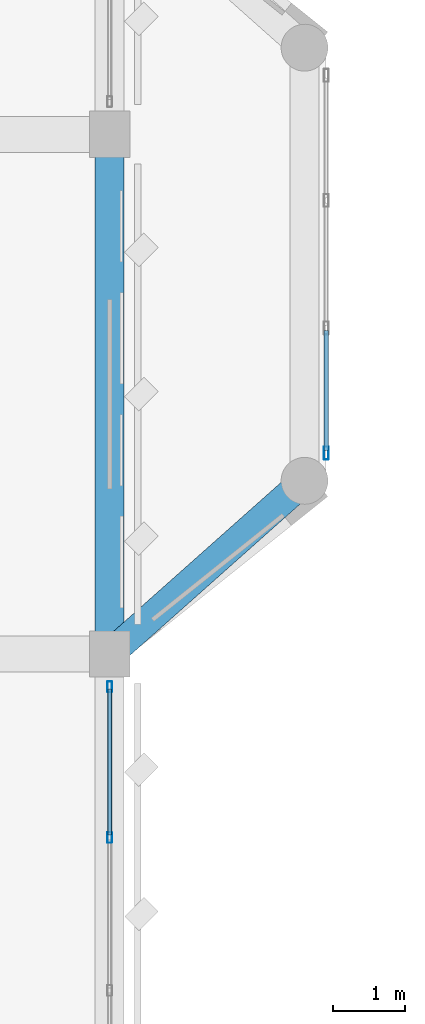
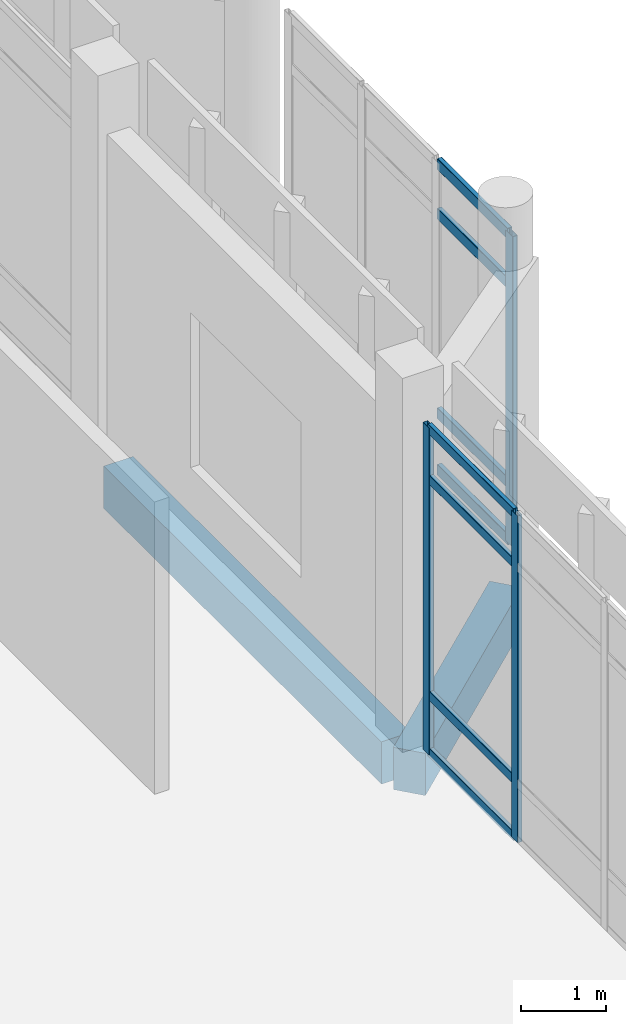
# One storey, part 57 of 180: 11 members, 2 beams, 2 elements without a shape of their own.
"""IFC4 building model written with IfcOpenShell, lengths in metres."""

from ifc_helpers import new_model, si_unit, direction, frame, origin, origin_2d, place, context, subcontext, project, spatial, rectangle, hollow_rectangle, extrude, material, material_profile, profile_set, type_object, element, aggregate, save


model = new_model("IFC4")

# Units and contexts
model_context = context("Model", 3, precision=1e-05, world=origin(), true_north=direction((0.0, 1.0)))
body_context = subcontext(model_context, "Body", "Model", "MODEL_VIEW")
ifc_project = project(units=[si_unit("LENGTHUNIT", "METRE"), si_unit("AREAUNIT", "SQUARE_METRE"), si_unit("VOLUMEUNIT", "CUBIC_METRE"), si_unit("PLANEANGLEUNIT", "RADIAN"), si_unit("MASSUNIT", "GRAM", prefix="KILO")], contexts=[model_context])

# Site, building, storey
site_placement = place(None, origin())
site = spatial("IfcSite", under=ifc_project, at=site_placement, CompositionType="ELEMENT")
building_placement = place(site_placement, origin())
building = spatial("IfcBuilding", under=site, at=building_placement, Name="Lusvemor Sports Hall", CompositionType="ELEMENT")
storey_placement = place(building_placement, frame((0.0, 0.0, 5.39990234375)))
storey = spatial("IfcBuildingStorey", under=building, at=storey_placement, Name="L01", CompositionType="ELEMENT", Elevation=5.39990234375)

# Curtain wall, member
ifc_material_1 = material(Name="Thermally broken bronze-anodized aluminium", Category="aluminium")
curtain_wall_type_1 = type_object("IfcCurtainWallType", Name="CW_FOYER_A", PredefinedType="NOTDEFINED", material=ifc_material_1)
curtain_wall_1_placement = place(storey_placement, origin())
curtain_wall_1 = element("IfcCurtainWall", 1, at=curtain_wall_1_placement, inside=storey, type_object=curtain_wall_type_1, Name="Curtain Wall CW-BOW-CT-L01-M", PredefinedType="NOTDEFINED")
ifc_material_2 = material(Name="Thermally broken bronze-anodized aluminium", Category="aluminium")
ifc_material_profile_1 = material_profile(ifc_material_2, hollow_rectangle(XDim=0.070068359375, YDim=0.179931640625, WallThickness=0.0048828125, InnerFilletRadius=0.0048828125, OuterFilletRadius=0.010009765625, at=origin_2d()), Name="CWMUL180x70x5")
ifc_profile_set_1 = profile_set([ifc_material_profile_1], Name="Thermally broken bronze-anodized aluminium")
member_type_1 = type_object("IfcMemberType", Name="CW_MUL_A", PredefinedType="MULLION", material=ifc_profile_set_1)
member_1_placement = place(storey_placement, frame((24.60009765625, 78.385009765625, 0.0), z_axis=(0.0, 0.0, 1.0), x_axis=(1.0, 0.0, 0.0)))
member_1 = element("IfcMember", 2, at=member_1_placement, type_object=member_type_1, Name="CW01 mullion 4", PredefinedType="MULLION", context=body_context, shape_type="SweptSolid", body=[
    extrude(hollow_rectangle(XDim=0.070068359375, YDim=0.179931640625, WallThickness=0.0048828125, InnerFilletRadius=0.0048828125, OuterFilletRadius=0.010009765625, at=origin_2d()), origin(), (0.0, 0.0, 1.0), 4.47998046875),
])

# Curtain wall, members
ifc_material_3 = material(Name="Thermally broken bronze-anodized aluminium", Category="aluminium")
curtain_wall_type_2 = type_object("IfcCurtainWallType", Name="CW_WING_B", PredefinedType="NOTDEFINED", material=ifc_material_3)
curtain_wall_2_placement = place(storey_placement, origin())
curtain_wall_2 = element("IfcCurtainWall", 3, at=curtain_wall_2_placement, inside=storey, type_object=curtain_wall_type_2, Name="Curtain Wall CW-L01-E-4-3", PredefinedType="NOTDEFINED")
ifc_material_4 = material(Name="Thermally broken bronze-anodized aluminium", Category="aluminium")
ifc_material_profile_2 = material_profile(ifc_material_4, hollow_rectangle(XDim=0.06494140625, YDim=0.14990234375, WallThickness=0.00390625, InnerFilletRadius=0.00390625, OuterFilletRadius=0.008056640625, at=origin_2d()), Name="CWMUL150x65x4")
ifc_profile_set_2 = profile_set([ifc_material_profile_2], Name="Thermally broken bronze-anodized aluminium")
member_type_2 = type_object("IfcMemberType", Name="CW_MUL_B", PredefinedType="MULLION", material=ifc_profile_set_2)
member_2_placement = place(storey_placement, frame((21.60009765625, 75.1474609375, 0.0), z_axis=(0.0, 0.0, 1.0), x_axis=(1.0, 0.0, 0.0)))
member_2 = element("IfcMember", 4, at=member_2_placement, type_object=member_type_2, Name="CW02 mullion 1", PredefinedType="MULLION", context=body_context, shape_type="SweptSolid", body=[
    extrude(hollow_rectangle(XDim=0.06494140625, YDim=0.14990234375, WallThickness=0.00390625, InnerFilletRadius=0.00390625, OuterFilletRadius=0.008056640625, at=origin_2d()), origin(), (0.0, 0.0, 1.0), 4.72021484375),
])
member_3_placement = place(storey_placement, frame((21.60009765625, 73.06005859375, 0.0), z_axis=(0.0, 0.0, 1.0), x_axis=(1.0, 0.0, 0.0)))
member_3 = element("IfcMember", 5, at=member_3_placement, type_object=member_type_2, Name="CW02 mullion 2", PredefinedType="MULLION", context=body_context, shape_type="SweptSolid", body=[
    extrude(hollow_rectangle(XDim=0.06494140625, YDim=0.14990234375, WallThickness=0.00390625, InnerFilletRadius=0.00390625, OuterFilletRadius=0.008056640625, at=origin_2d()), origin(), (0.0, 0.0, 1.0), 4.72021484375),
])

# Member
ifc_material_5 = material(Name="Thermally broken bronze-anodized aluminium", Category="aluminium")
ifc_material_profile_3 = material_profile(ifc_material_5, hollow_rectangle(XDim=0.06494140625, YDim=0.159912109375, WallThickness=0.00390625, InnerFilletRadius=0.00390625, OuterFilletRadius=0.008056640625, at=origin_2d()), Name="CWTRN160x65x4")
ifc_profile_set_3 = profile_set([ifc_material_profile_3], Name="Thermally broken bronze-anodized aluminium")
member_type_3 = type_object("IfcMemberType", Name="CW_TRN_A", PredefinedType="USERDEFINED", material=ifc_profile_set_3)
member_4_placement = place(storey_placement, frame((24.60009765625, 80.081787109375, 0.03271484375), z_axis=(0.0, -1.0, 0.0), x_axis=(1.0, 0.0, 0.0)))
member_4 = element("IfcMember", 6, at=member_4_placement, type_object=member_type_3, Name="CW01 transom 3.1", ObjectType="TRANSOM", PredefinedType="USERDEFINED", context=body_context, shape_type="SweptSolid", body=[
    extrude(hollow_rectangle(XDim=0.06494140625, YDim=0.159912109375, WallThickness=0.00390625, InnerFilletRadius=0.00390625, OuterFilletRadius=0.008056640625, at=origin_2d()), origin(), (0.0, 0.0, 1.0), 1.661865234375),
])

member_5_placement = place(storey_placement, frame((24.60009765625, 80.081787109375, 0.85009765625), z_axis=(0.0, -1.0, 0.0), x_axis=(1.0, 0.0, 0.0)))
member_5 = element("IfcMember", 7, at=member_5_placement, type_object=member_type_3, Name="CW01 transom 3.2", ObjectType="TRANSOM", PredefinedType="USERDEFINED", context=body_context, shape_type="SweptSolid", body=[
    extrude(hollow_rectangle(XDim=0.06494140625, YDim=0.159912109375, WallThickness=0.00390625, InnerFilletRadius=0.00390625, OuterFilletRadius=0.008056640625, at=origin_2d()), origin(), (0.0, 0.0, 1.0), 1.661865234375),
])

member_6_placement = place(storey_placement, frame((24.60009765625, 80.081787109375, 3.72998046875), z_axis=(0.0, -1.0, 0.0), x_axis=(1.0, 0.0, 0.0)))
member_6 = element("IfcMember", 8, at=member_6_placement, type_object=member_type_3, Name="CW01 transom 3.3", ObjectType="TRANSOM", PredefinedType="USERDEFINED", context=body_context, shape_type="SweptSolid", body=[
    extrude(hollow_rectangle(XDim=0.06494140625, YDim=0.159912109375, WallThickness=0.00390625, InnerFilletRadius=0.00390625, OuterFilletRadius=0.008056640625, at=origin_2d()), origin(), (0.0, 0.0, 1.0), 1.661865234375),
])

member_7_placement = place(storey_placement, frame((24.60009765625, 80.081787109375, 4.447509765625), z_axis=(0.0, -1.0, 0.0), x_axis=(1.0, 0.0, 0.0)))
member_7 = element("IfcMember", 9, at=member_7_placement, type_object=member_type_3, Name="CW01 transom 3.4", ObjectType="TRANSOM", PredefinedType="USERDEFINED", context=body_context, shape_type="SweptSolid", body=[
    extrude(hollow_rectangle(XDim=0.06494140625, YDim=0.159912109375, WallThickness=0.00390625, InnerFilletRadius=0.00390625, OuterFilletRadius=0.008056640625, at=origin_2d()), origin(), (0.0, 0.0, 1.0), 1.661865234375),
])

aggregate(curtain_wall_1, [member_1, member_4, member_5, member_6, member_7])

ifc_material_6 = material(Name="Thermally broken bronze-anodized aluminium", Category="aluminium")
ifc_material_profile_4 = material_profile(ifc_material_6, hollow_rectangle(XDim=0.06005859375, YDim=0.135009765625, WallThickness=0.00390625, InnerFilletRadius=0.00390625, OuterFilletRadius=0.008056640625, at=origin_2d()), Name="CWTRN135x60x4")
ifc_profile_set_4 = profile_set([ifc_material_profile_4], Name="Thermally broken bronze-anodized aluminium")
member_type_4 = type_object("IfcMemberType", Name="CW_TRN_B", PredefinedType="USERDEFINED", material=ifc_profile_set_4)
member_8_placement = place(storey_placement, frame((21.60009765625, 75.114990234375, 0.030029296875), z_axis=(0.0, -1.0, 0.0), x_axis=(1.0, 0.0, 0.0)))
member_8 = element("IfcMember", 10, at=member_8_placement, type_object=member_type_4, Name="CW02 transom 1.1", ObjectType="TRANSOM", PredefinedType="USERDEFINED", context=body_context, shape_type="SweptSolid", body=[
    extrude(hollow_rectangle(XDim=0.06005859375, YDim=0.135009765625, WallThickness=0.00390625, InnerFilletRadius=0.00390625, OuterFilletRadius=0.008056640625, at=origin_2d()), origin(), (0.0, 0.0, 1.0), 2.0224609375),
])

member_9_placement = place(storey_placement, frame((21.60009765625, 75.114990234375, 0.85009765625), z_axis=(0.0, -1.0, 0.0), x_axis=(1.0, 0.0, 0.0)))
member_9 = element("IfcMember", 11, at=member_9_placement, type_object=member_type_4, Name="CW02 transom 1.2", ObjectType="TRANSOM", PredefinedType="USERDEFINED", context=body_context, shape_type="SweptSolid", body=[
    extrude(hollow_rectangle(XDim=0.06005859375, YDim=0.135009765625, WallThickness=0.00390625, InnerFilletRadius=0.00390625, OuterFilletRadius=0.008056640625, at=origin_2d()), origin(), (0.0, 0.0, 1.0), 2.0224609375),
])

member_10_placement = place(storey_placement, frame((21.60009765625, 75.114990234375, 3.97021484375), z_axis=(0.0, -1.0, 0.0), x_axis=(1.0, 0.0, 0.0)))
member_10 = element("IfcMember", 12, at=member_10_placement, type_object=member_type_4, Name="CW02 transom 1.3", ObjectType="TRANSOM", PredefinedType="USERDEFINED", context=body_context, shape_type="SweptSolid", body=[
    extrude(hollow_rectangle(XDim=0.06005859375, YDim=0.135009765625, WallThickness=0.00390625, InnerFilletRadius=0.00390625, OuterFilletRadius=0.008056640625, at=origin_2d()), origin(), (0.0, 0.0, 1.0), 2.0224609375),
])

member_11_placement = place(storey_placement, frame((21.60009765625, 75.114990234375, 4.690185546875), z_axis=(0.0, -1.0, 0.0), x_axis=(1.0, 0.0, 0.0)))
member_11 = element("IfcMember", 13, at=member_11_placement, type_object=member_type_4, Name="CW02 transom 1.4", ObjectType="TRANSOM", PredefinedType="USERDEFINED", context=body_context, shape_type="SweptSolid", body=[
    extrude(hollow_rectangle(XDim=0.06005859375, YDim=0.135009765625, WallThickness=0.00390625, InnerFilletRadius=0.00390625, OuterFilletRadius=0.008056640625, at=origin_2d()), origin(), (0.0, 0.0, 1.0), 2.0224609375),
])

aggregate(curtain_wall_2, [member_2, member_3, member_8, member_9, member_10, member_11])

# Beams
ifc_material_7 = material(Name="Concrete C40/50", Category="concrete")
ifc_material_profile_5 = material_profile(ifc_material_7, rectangle(XDim=0.39990234375, YDim=0.610107421875, at=origin_2d()), Name="RC400x610")
ifc_profile_set_5 = profile_set([ifc_material_profile_5], Name="Concrete C40/50")
beam_type = type_object("IfcBeamType", Name="SPAND_EXT_650", PredefinedType="SPANDREL", material=ifc_profile_set_5)
beam_1_placement = place(storey_placement, frame((21.60009765625, 75.916015625, -0.56494140625), z_axis=(0.0, 1.0, 0.0), x_axis=(-1.0, 0.0, 0.0)))
element("IfcBeam", 14, at=beam_1_placement, inside=storey, type_object=beam_type, Name="Beam L01 3:K-L", PredefinedType="SPANDREL", context=body_context, shape_type="SweptSolid", body=[
    extrude(rectangle(XDim=0.39990234375, YDim=0.610107421875, at=origin_2d()), origin(), (0.0, 0.0, 1.0), 6.56787109375),
])
beam_2_placement = place(storey_placement, frame((24.300048828125, 78.0, -0.56494140625), z_axis=(-0.747416776234, -0.66435544899, 0.0), x_axis=(0.66435544899, -0.747416776234, 0.0)))
element("IfcBeam", 15, at=beam_2_placement, inside=storey, type_object=beam_type, Name="Bow Pavilion Edge Beam BOW-CT L01-3", PredefinedType="SPANDREL", context=body_context, shape_type="SweptSolid", body=[
    extrude(rectangle(XDim=0.39990234375, YDim=0.610107421875, at=origin_2d()), origin(), (0.0, 0.0, 1.0), 3.6123046875),
])

save(model, "model.ifc")
